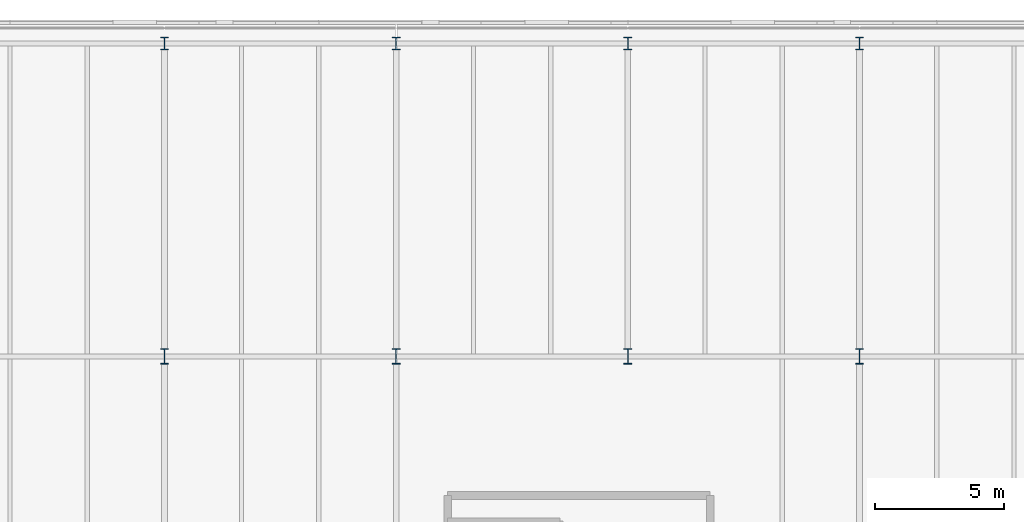
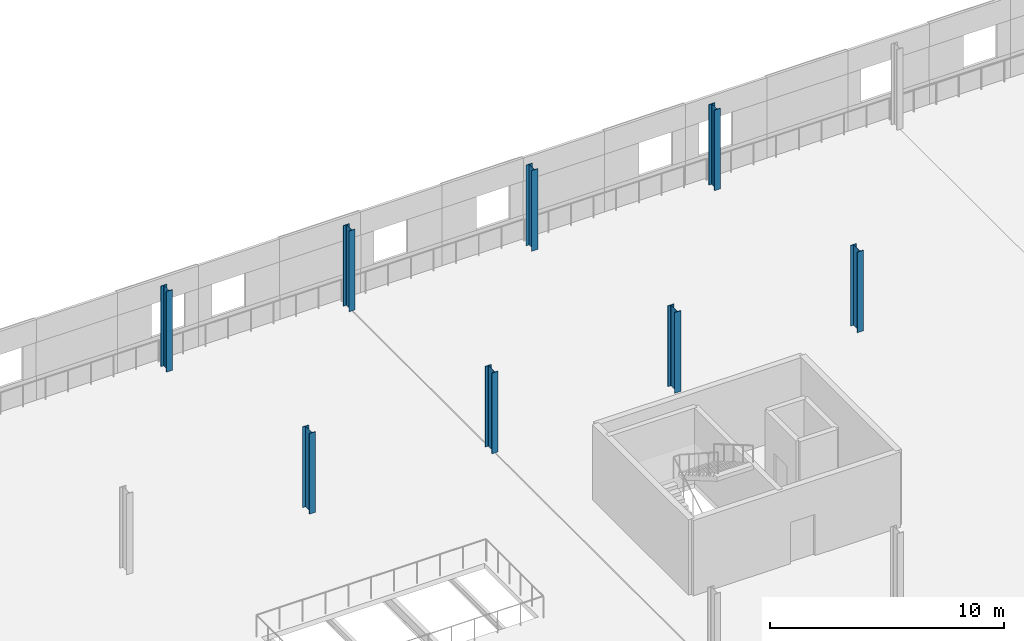
# One storey, part 8 of 103: 8 columns.
"""IFC4 building model written with IfcOpenShell, lengths in metres."""

from ifc_helpers import new_model, si_unit, direction, frame, origin, origin_2d, place, context, subcontext, project, spatial, i_section, extrude, material, material_profile, profile_set, type_object, element, save


model = new_model("IFC4")

# Units and contexts
model_context = context("Model", 3, precision=1e-05, world=origin(), true_north=direction((0.0, 1.0)))
body_context = subcontext(model_context, "Body", "Model", "MODEL_VIEW")
ifc_project = project(units=[si_unit("LENGTHUNIT", "METRE"), si_unit("AREAUNIT", "SQUARE_METRE"), si_unit("VOLUMEUNIT", "CUBIC_METRE"), si_unit("PLANEANGLEUNIT", "RADIAN"), si_unit("MASSUNIT", "GRAM", prefix="KILO")], contexts=[model_context])

# Site, building, storey
site_placement = place(None, origin())
site = spatial("IfcSite", under=ifc_project, at=site_placement, CompositionType="ELEMENT")
building_placement = place(site_placement, origin())
building = spatial("IfcBuilding", under=site, at=building_placement, Name="Deido Ridge Mobility Hub", CompositionType="ELEMENT")
storey_placement = place(building_placement, frame((0.0, 0.0, 12.60009765625)))
storey = spatial("IfcBuildingStorey", under=building, at=storey_placement, Name="L03", CompositionType="ELEMENT", Elevation=12.60009765625)

# Columns
ifc_material = material(Name="Steel S355J2 EN 10025-2", Category="steel")
ifc_material_profile_1 = material_profile(ifc_material, i_section(OverallWidth=0.300048828125, OverallDepth=0.5, WebThickness=0.014404296875, FlangeThickness=0.028076171875, FilletRadius=0.027099609375, at=origin_2d()), Name="HEB 500")
ifc_profile_set_1 = profile_set([ifc_material_profile_1], Name="Steel S355J2 EN 10025-2")
column_type_1 = type_object("IfcColumnType", Name="COL-HEB500", PredefinedType="COLUMN", material=ifc_profile_set_1)
for number, where, z_axis, x_axis, name in (
    (1, (63.0, 125.14990234375, 0.0), (0.0, 0.0, 1.0), (1.0, 0.0, 0.0), "Structural column C5"),
    (2, (72.0, 125.14990234375, 0.0), (0.0, 0.0, 1.0), (1.0, 0.0, 0.0), "Structural column C5"),
    (3, (81.0, 125.14990234375, 0.0), (0.0, 0.0, 1.0), (1.0, 0.0, 0.0), "Structural column C5"),
    (4, (90.0, 125.14990234375, 0.0), (0.0, 0.0, 1.0), (1.0, 0.0, 0.0), "Structural column C5"),
):
    element("IfcColumn", number, at=place(storey_placement, frame(where, z_axis=z_axis, x_axis=x_axis)), inside=storey, type_object=column_type_1, Name=name, PredefinedType="COLUMN", context=body_context, shape_type="SweptSolid", body=[
        extrude(i_section(OverallWidth=0.300048828125, OverallDepth=0.5, WebThickness=0.014404296875, FlangeThickness=0.028076171875, FilletRadius=0.027099609375, at=origin_2d()), origin(), (0.0, 0.0, 1.0), 4.199951171875),
    ])
ifc_material_profile_2 = material_profile(ifc_material, i_section(OverallWidth=0.300048828125, OverallDepth=0.60009765625, WebThickness=0.015380859375, FlangeThickness=0.030029296875, FilletRadius=0.027099609375, at=origin_2d()), Name="HEB 600")
ifc_profile_set_2 = profile_set([ifc_material_profile_2], Name="Steel S355J2 EN 10025-2")
column_type_2 = type_object("IfcColumnType", Name="COL-HEB600", PredefinedType="COLUMN", material=ifc_profile_set_2)
for number, where, z_axis, x_axis, name in (
    (5, (63.0, 113.0, 0.0), (0.0, 0.0, 1.0), (1.0, 0.0, 0.0), "Structural column C4"),
    (6, (72.0, 113.0, 0.0), (0.0, 0.0, 1.0), (1.0, 0.0, 0.0), "Structural column C4"),
    (7, (81.0, 113.0, 0.0), (0.0, 0.0, 1.0), (1.0, 0.0, 0.0), "Structural column C4"),
    (8, (90.0, 113.0, 0.0), (0.0, 0.0, 1.0), (1.0, 0.0, 0.0), "Structural column C4"),
):
    element("IfcColumn", number, at=place(storey_placement, frame(where, z_axis=z_axis, x_axis=x_axis)), inside=storey, type_object=column_type_2, Name=name, PredefinedType="COLUMN", context=body_context, shape_type="SweptSolid", body=[
        extrude(i_section(OverallWidth=0.300048828125, OverallDepth=0.60009765625, WebThickness=0.015380859375, FlangeThickness=0.030029296875, FilletRadius=0.027099609375, at=origin_2d()), origin(), (0.0, 0.0, 1.0), 4.199951171875),
    ])

save(model, "model.ifc")
